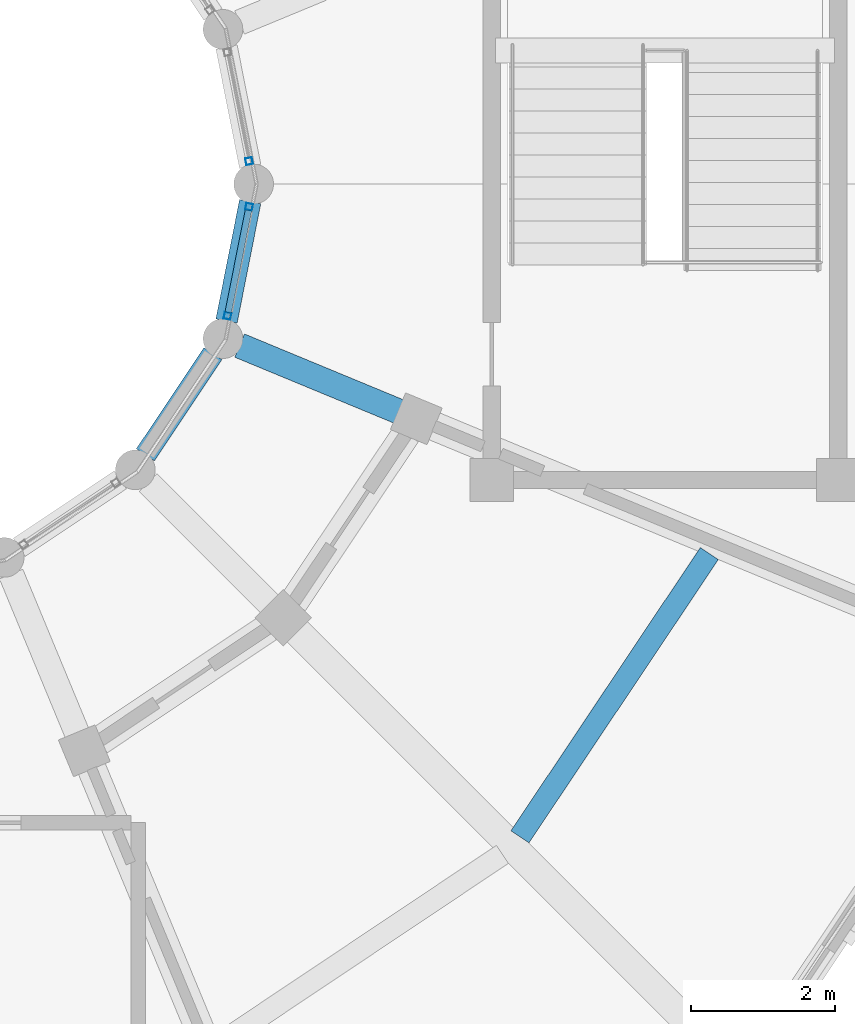
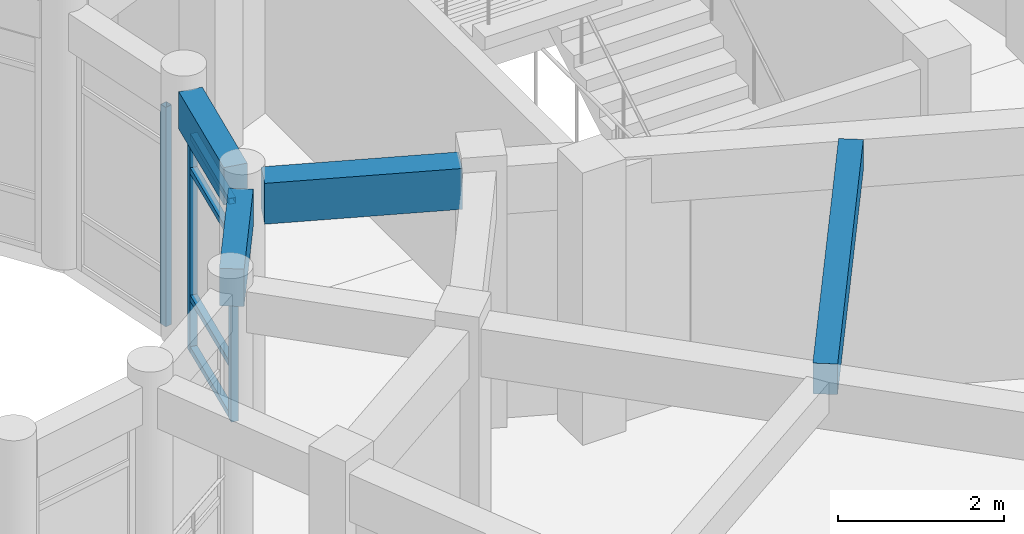
# One storey, part 56 of 159: 7 members, 4 beams, 2 elements without a shape of their own.
"""IFC4 building model written with IfcOpenShell, lengths in metres."""

from ifc_helpers import new_model, si_unit, direction, frame, origin, origin_2d, place, context, subcontext, project, spatial, rectangle, hollow_rectangle, extrude, material, material_profile, profile_set, type_object, element, aggregate, save


model = new_model("IFC4")

# Units and contexts
model_context = context("Model", 3, precision=1e-05, world=origin(), true_north=direction((0.0, 1.0)))
body_context = subcontext(model_context, "Body", "Model", "MODEL_VIEW")
ifc_project = project(units=[si_unit("LENGTHUNIT", "METRE"), si_unit("AREAUNIT", "SQUARE_METRE"), si_unit("VOLUMEUNIT", "CUBIC_METRE"), si_unit("PLANEANGLEUNIT", "RADIAN"), si_unit("MASSUNIT", "GRAM", prefix="KILO")], contexts=[model_context])

# Site, building, storey
site_placement = place(None, origin())
site = spatial("IfcSite", under=ifc_project, at=site_placement, CompositionType="ELEMENT")
building_placement = place(site_placement, origin())
building = spatial("IfcBuilding", under=site, at=building_placement, Name="Celadon Cloister-Ring School", CompositionType="ELEMENT")
storey_placement = place(building_placement, frame((0.0, 0.0, 4.5)))
storey = spatial("IfcBuildingStorey", under=building, at=storey_placement, Name="L01", CompositionType="ELEMENT", Elevation=4.5)

# Beam
ifc_material_1 = material(Name="Concrete C35/45", Category="concrete")
ifc_material_profile_1 = material_profile(ifc_material_1, rectangle(XDim=0.35009765625, YDim=0.60009765625, at=origin_2d()), Name="RC350X600")
ifc_profile_set_1 = profile_set([ifc_material_profile_1], Name="Concrete C35/45")
beam_type_1 = type_object("IfcBeamType", Name="BT-02", PredefinedType="BEAM", material=ifc_profile_set_1)
beam_1_placement = place(storey_placement, frame((27.822021484375, 93.843017578125, 3.47998046875), z_axis=(-0.923932522988, 0.382555476978, 0.0), x_axis=(-0.382555476978, -0.923932522988, 0.0)))
element("IfcBeam", 1, at=beam_1_placement, inside=storey, type_object=beam_type_1, Name="Beam 0683", PredefinedType="BEAM", context=body_context, shape_type="SweptSolid", body=[
    extrude(rectangle(XDim=0.35009765625, YDim=0.60009765625, at=origin_2d()), origin(), (0.0, 0.0, 1.0), 2.399658203125),
])

# Curtain wall, member
ifc_material_2 = material(Name="Aluminium EN AW-6063 T6", Category="aluminium")
curtain_wall_type = type_object("IfcCurtainWallType", Name="CW-04", PredefinedType="USERDEFINED", material=ifc_material_2)
curtain_wall_1_placement = place(storey_placement, origin())
curtain_wall_1 = element("IfcCurtainWall", 2, at=curtain_wall_1_placement, inside=storey, type_object=curtain_wall_type, Name="Curtain Wall 0091", ObjectType="CURTAIN WALL", PredefinedType="USERDEFINED")
ifc_material_3 = material(Name="Aluminium EN AW-6063 T6", Category="aluminium")
ifc_material_profile_2 = material_profile(ifc_material_3, hollow_rectangle(XDim=0.094970703125, YDim=0.094970703125, WallThickness=0.00390625, at=origin_2d()), Name="RHS95X95X4")
ifc_profile_set_2 = profile_set([ifc_material_profile_2], Name="Aluminium EN AW-6063 T6")
member_type_1 = type_object("IfcMemberType", Name="CM-02", PredefinedType="MULLION", material=ifc_profile_set_2)
member_1_placement = place(storey_placement, frame((25.73681640625, 97.316650390625, 0.0), z_axis=(0.0, 0.0, 1.0), x_axis=(-0.980885435464, -0.194586131301, 0.0)))
member_1 = element("IfcMember", 3, at=member_1_placement, type_object=member_type_1, Name="CW-04 mullion 1", PredefinedType="MULLION", context=body_context, shape_type="SweptSolid", body=[
    extrude(hollow_rectangle(XDim=0.094970703125, YDim=0.094970703125, WallThickness=0.00390625, at=origin_2d()), origin(), (0.0, 0.0, 1.0), 3.221923828125),
])
aggregate(curtain_wall_1, [member_1])

# Curtain wall, members
curtain_wall_2_placement = place(storey_placement, origin())
curtain_wall_2 = element("IfcCurtainWall", 4, at=curtain_wall_2_placement, inside=storey, type_object=curtain_wall_type, Name="Curtain Wall 0102", ObjectType="CURTAIN WALL", PredefinedType="USERDEFINED")
member_2_placement = place(storey_placement, frame((25.437255859375, 95.173583984375, 0.0), z_axis=(0.0, 0.0, 1.0), x_axis=(-0.980885435464, 0.194586131301, 0.0)))
member_2 = element("IfcMember", 5, at=member_2_placement, type_object=member_type_1, Name="CW-04 mullion 1", PredefinedType="MULLION", context=body_context, shape_type="SweptSolid", body=[
    extrude(hollow_rectangle(XDim=0.094970703125, YDim=0.094970703125, WallThickness=0.00390625, at=origin_2d()), origin(), (0.0, 0.0, 1.0), 3.221923828125),
])
member_3_placement = place(storey_placement, frame((25.73681640625, 96.683349609375, 0.0), z_axis=(0.0, 0.0, 1.0), x_axis=(-0.980885435464, 0.194586131301, 0.0)))
member_3 = element("IfcMember", 6, at=member_3_placement, type_object=member_type_1, Name="CW-04 mullion 2", PredefinedType="MULLION", context=body_context, shape_type="SweptSolid", body=[
    extrude(hollow_rectangle(XDim=0.094970703125, YDim=0.094970703125, WallThickness=0.00390625, at=origin_2d()), origin(), (0.0, 0.0, 1.0), 3.221923828125),
])
ifc_material_4 = material(Name="Aluminium EN AW-6063 T6", Category="aluminium")
ifc_material_profile_3 = material_profile(ifc_material_4, hollow_rectangle(XDim=0.090087890625, YDim=0.090087890625, WallThickness=0.00390625, at=origin_2d()), Name="RHS90X90X4")
ifc_profile_set_3 = profile_set([ifc_material_profile_3], Name="Aluminium EN AW-6063 T6")
member_type_2 = type_object("IfcMemberType", Name="CTM-02", PredefinedType="USERDEFINED", material=ifc_profile_set_3)
member_4_placement = place(storey_placement, frame((25.446533203125, 95.22021484375, 0.044921875), z_axis=(0.194587856315, 0.980885093257, 0.0), x_axis=(-0.980885093257, 0.194587856315, 0.0)))
member_4 = element("IfcMember", 7, at=member_4_placement, type_object=member_type_2, Name="CW-04 transom 1.1", ObjectType="TRANSOM", PredefinedType="USERDEFINED", context=body_context, shape_type="SweptSolid", body=[
    extrude(hollow_rectangle(XDim=0.090087890625, YDim=0.090087890625, WallThickness=0.00390625, at=origin_2d()), origin(), (0.0, 0.0, 1.0), 1.444091796875),
])
member_5_placement = place(storey_placement, frame((25.446533203125, 95.22021484375, 0.800048828125), z_axis=(0.194587856315, 0.980885093257, 0.0), x_axis=(-0.980885093257, 0.194587856315, 0.0)))
member_5 = element("IfcMember", 8, at=member_5_placement, type_object=member_type_2, Name="CW-04 transom 1.2", ObjectType="TRANSOM", PredefinedType="USERDEFINED", context=body_context, shape_type="SweptSolid", body=[
    extrude(hollow_rectangle(XDim=0.090087890625, YDim=0.090087890625, WallThickness=0.00390625, at=origin_2d()), origin(), (0.0, 0.0, 1.0), 1.444091796875),
])
member_6_placement = place(storey_placement, frame((25.446533203125, 95.22021484375, 2.672119140625), z_axis=(0.194587856315, 0.980885093257, 0.0), x_axis=(-0.980885093257, 0.194587856315, 0.0)))
member_6 = element("IfcMember", 9, at=member_6_placement, type_object=member_type_2, Name="CW-04 transom 1.3", ObjectType="TRANSOM", PredefinedType="USERDEFINED", context=body_context, shape_type="SweptSolid", body=[
    extrude(hollow_rectangle(XDim=0.090087890625, YDim=0.090087890625, WallThickness=0.00390625, at=origin_2d()), origin(), (0.0, 0.0, 1.0), 1.444091796875),
])
member_7_placement = place(storey_placement, frame((25.446533203125, 95.22021484375, 3.177001953125), z_axis=(0.194587856315, 0.980885093257, 0.0), x_axis=(-0.980885093257, 0.194587856315, 0.0)))
member_7 = element("IfcMember", 10, at=member_7_placement, type_object=member_type_2, Name="CW-04 transom 1.4", ObjectType="TRANSOM", PredefinedType="USERDEFINED", context=body_context, shape_type="SweptSolid", body=[
    extrude(hollow_rectangle(XDim=0.090087890625, YDim=0.090087890625, WallThickness=0.00390625, at=origin_2d()), origin(), (0.0, 0.0, 1.0), 1.444091796875),
])
aggregate(curtain_wall_2, [member_2, member_3, member_4, member_5, member_6, member_7])

# Beams
ifc_material_5 = material(Name="Concrete C35/45", Category="concrete")
ifc_material_profile_4 = material_profile(ifc_material_5, rectangle(XDim=0.300048828125, YDim=0.449951171875, at=origin_2d()), Name="RC300X450")
ifc_profile_set_4 = profile_set([ifc_material_profile_4], Name="Concrete C35/45")
beam_type_2 = type_object("IfcBeamType", Name="JT-01", PredefinedType="JOIST", material=ifc_profile_set_4)
beam_2_placement = place(storey_placement, frame((29.489013671875, 87.9541015625, 3.554931640625), z_axis=(0.555797592992, 0.831317650254, 0.0), x_axis=(-0.831317650254, 0.555797592992, 0.0)))
element("IfcBeam", 11, at=beam_2_placement, inside=storey, type_object=beam_type_2, Name="Beam 0731", PredefinedType="JOIST", context=body_context, shape_type="SweptSolid", body=[
    extrude(rectangle(XDim=0.300048828125, YDim=0.449951171875, at=origin_2d()), origin(), (0.0, 0.0, 1.0), 4.72119140625),
])
ifc_material_6 = material(Name="Concrete C35/45", Category="concrete")
ifc_material_profile_5 = material_profile(ifc_material_6, rectangle(XDim=0.300048828125, YDim=0.550048828125, at=origin_2d()), Name="RC300X550")
ifc_profile_set_5 = profile_set([ifc_material_profile_5], Name="Concrete C35/45")
beam_type_3 = type_object("IfcBeamType", Name="SP-02", PredefinedType="SPANDREL", material=ifc_profile_set_5)
beam_3_placement = place(storey_placement, frame((24.299072265625, 93.248046875, 3.5048828125), z_axis=(0.555569328961, 0.831470216374, 0.0), x_axis=(-0.831470216374, 0.555569328961, 0.0)))
element("IfcBeam", 12, at=beam_3_placement, inside=storey, type_object=beam_type_3, Name="Beam 0730", PredefinedType="SPANDREL", context=body_context, shape_type="SweptSolid", body=[
    extrude(rectangle(XDim=0.300048828125, YDim=0.550048828125, at=origin_2d()), origin(), (0.0, 0.0, 1.0), 1.684814453125),
])
beam_4_placement = place(storey_placement, frame((25.423095703125, 95.10205078125, 3.5048828125), z_axis=(0.194583435458, 0.980885970256, 0.0), x_axis=(-0.980885970256, 0.194583435458, 0.0)))
element("IfcBeam", 13, at=beam_4_placement, inside=storey, type_object=beam_type_3, Name="Beam 0733", PredefinedType="SPANDREL", context=body_context, shape_type="SweptSolid", body=[
    extrude(rectangle(XDim=0.300048828125, YDim=0.550048828125, at=origin_2d()), origin(), (0.0, 0.0, 1.0), 1.68505859375),
])

save(model, "model.ifc")
